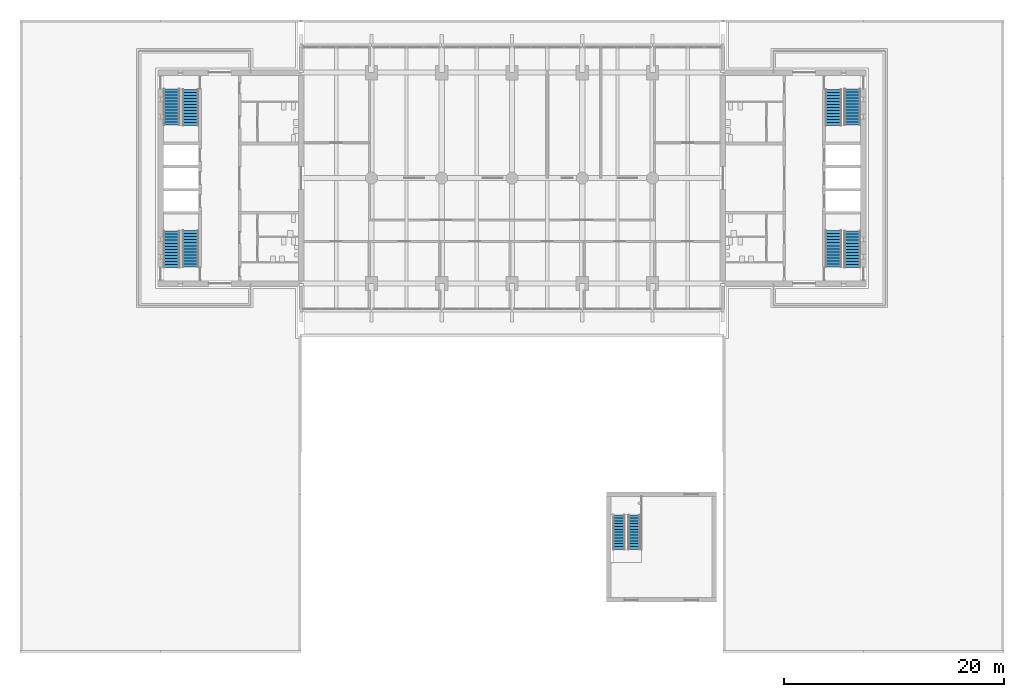
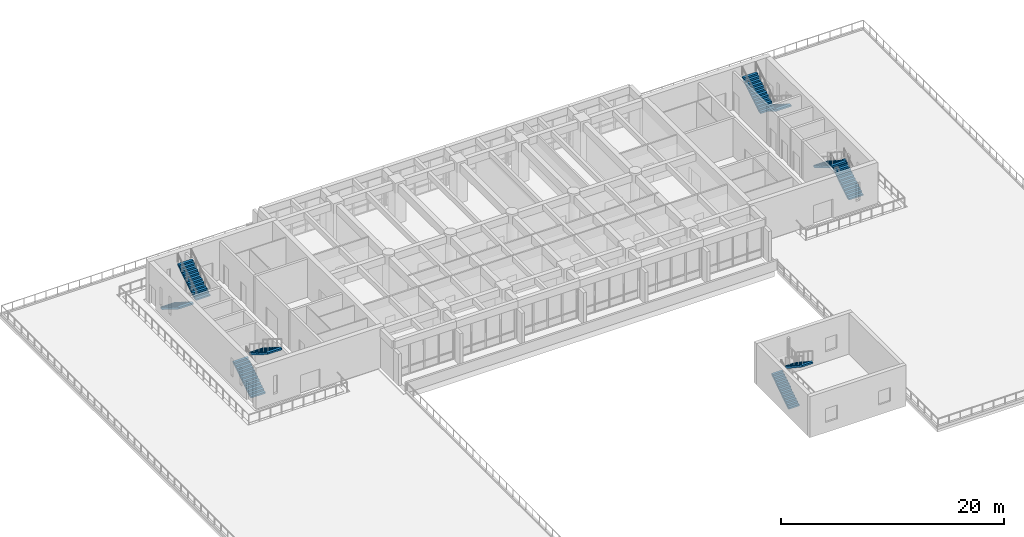
# One storey, part 16 of 21: 10 stair flights, 5 elements without a shape of their own.
"""IFC4 building model written with IfcOpenShell, lengths in metres."""

from ifc_helpers import new_model, si_unit, direction, frame, origin, place, context, subcontext, project, spatial, polyline, outline, extrude, material, type_object, element, aggregate, save


model = new_model("IFC4")

# Units and contexts
model_context = context("Model", 3, precision=1e-05, world=origin(), true_north=direction((0.0, 1.0)))
body_context = subcontext(model_context, "Body", "Model", "MODEL_VIEW")
ifc_project = project(units=[si_unit("LENGTHUNIT", "METRE"), si_unit("AREAUNIT", "SQUARE_METRE"), si_unit("VOLUMEUNIT", "CUBIC_METRE"), si_unit("PLANEANGLEUNIT", "RADIAN"), si_unit("MASSUNIT", "GRAM", prefix="KILO")], contexts=[model_context])

# Site, building, storey
site_placement = place(None, origin())
site = spatial("IfcSite", under=ifc_project, at=site_placement, CompositionType="ELEMENT")
building_placement = place(site_placement, origin())
building = spatial("IfcBuilding", under=site, at=building_placement, Name="Fogon Plaza Fire Station and Headquarters Tower", CompositionType="ELEMENT")
storey_placement = place(building_placement, frame((0.0, 0.0, 8.39990234375)))
storey = spatial("IfcBuildingStorey", under=building, at=storey_placement, Name="L02", CompositionType="ELEMENT", Elevation=8.39990234375)

# Stair, stair flights
ifc_material_1 = material(Name="Concrete C40", Category="concrete")
stair_type_1 = type_object("IfcStairType", Name="Drill Stair 1100", PredefinedType="HALF_TURN_STAIR", material=ifc_material_1)
stair_1_placement = place(storey_placement, origin())
stair_1 = element("IfcStair", 1, at=stair_1_placement, inside=storey, type_object=stair_type_1, Name="DT1", PredefinedType="HALF_TURN_STAIR")
ifc_material_2 = material(Name="Concrete C40", Category="concrete")
stair_flight_type_1 = type_object("IfcStairFlightType", Name="Drill Stair Flight 1100", PredefinedType="STRAIGHT", material=ifc_material_2)
stair_flight_1_placement = place(storey_placement, frame((54.550048828125, 9.39990234375, 0.0), z_axis=(0.0, 0.0, 1.0), x_axis=(0.0, 1.0, 0.0)))
stair_flight_1 = element("IfcStairFlight", 2, at=stair_flight_1_placement, type_object=stair_flight_type_1, Name="DT1 flight 1", NumberOfRisers=13, NumberOfTreads=12, PredefinedType="STRAIGHT", RiserHeight=0.173076923, TreadLength=0.26, context=body_context, shape_type="SweptSolid", body=[
    extrude(outline(polyline([(0.0, 0.0), (0.0, 0.173095703125), (0.260009765625, 0.173095703125), (0.260009765625, 0.34619140625), (0.52001953125, 0.34619140625), (0.52001953125, 0.519287109375), (0.780029296875, 0.519287109375), (0.780029296875, 0.6923828125), (1.0400390625, 0.6923828125), (1.0400390625, 0.865478515625), (1.300048828125, 0.865478515625), (1.300048828125, 1.03857421875), (1.56005859375, 1.03857421875), (1.56005859375, 1.21142578125), (1.820068359375, 1.21142578125), (1.820068359375, 1.384521484375), (2.080078125, 1.384521484375), (2.080078125, 1.5576171875), (2.340087890625, 1.5576171875), (2.340087890625, 1.730712890625), (2.60009765625, 1.730712890625), (2.60009765625, 1.90380859375), (2.860107421875, 1.90380859375), (2.860107421875, 2.076904296875), (3.1201171875, 2.076904296875), (3.1201171875, 2.25), (3.1201171875, 1.896728515625), (0.2705078125, 0.0), (0.0, 0.0)])), frame((0.0, 0.550048828125, 0.0), z_axis=(0.0, -1.0, 0.0), x_axis=(1.0, 0.0, 0.0)), (0.0, 0.0, 1.0), 1.10009765625),
])
stair_flight_2_placement = place(storey_placement, frame((55.929931640625, 12.52001953125, 2.25), z_axis=(0.0, 0.0, 1.0), x_axis=(0.0, -1.0, 0.0)))
stair_flight_2 = element("IfcStairFlight", 3, at=stair_flight_2_placement, type_object=stair_flight_type_1, Name="DT1 flight 2", NumberOfRisers=13, NumberOfTreads=12, PredefinedType="STRAIGHT", RiserHeight=0.173076923, TreadLength=0.26, context=body_context, shape_type="SweptSolid", body=[
    extrude(outline(polyline([(0.0, 0.0), (0.0, 0.173095703125), (0.260009765625, 0.173095703125), (0.260009765625, 0.34619140625), (0.52001953125, 0.34619140625), (0.52001953125, 0.519287109375), (0.780029296875, 0.519287109375), (0.780029296875, 0.6923828125), (1.0400390625, 0.6923828125), (1.0400390625, 0.865478515625), (1.300048828125, 0.865478515625), (1.300048828125, 1.03857421875), (1.56005859375, 1.03857421875), (1.56005859375, 1.21142578125), (1.820068359375, 1.21142578125), (1.820068359375, 1.384521484375), (2.080078125, 1.384521484375), (2.080078125, 1.5576171875), (2.340087890625, 1.5576171875), (2.340087890625, 1.730712890625), (2.60009765625, 1.730712890625), (2.60009765625, 1.90380859375), (2.860107421875, 1.90380859375), (2.860107421875, 2.076904296875), (3.1201171875, 2.076904296875), (3.1201171875, 2.25), (3.1201171875, 1.896728515625), (0.2705078125, 0.0), (0.0, 0.0)])), frame((0.0, 0.550048828125, 0.0), z_axis=(0.0, -1.0, 0.0), x_axis=(1.0, 0.0, 0.0)), (0.0, 0.0, 1.0), 1.10009765625),
])
aggregate(stair_1, [stair_flight_1, stair_flight_2])

ifc_material_3 = material(Name="Concrete C40", Category="concrete")
stair_type_2 = type_object("IfcStairType", Name="Exit Stair Two Flights", PredefinedType="TWO_STRAIGHT_RUN_STAIR", material=ifc_material_3)
stair_2_placement = place(storey_placement, origin())
stair_2 = element("IfcStair", 4, at=stair_2_placement, inside=storey, type_object=stair_type_2, Name="Stair ST1", PredefinedType="TWO_STRAIGHT_RUN_STAIR")
ifc_material_4 = material(Name="Concrete C40", Category="concrete")
stair_flight_type_2 = type_object("IfcStairFlightType", Name="Stair Flight 13 Risers", PredefinedType="STRAIGHT", material=ifc_material_4)
stair_flight_3_placement = place(storey_placement, frame((13.800048828125, 35.060791015625, 0.0), z_axis=(0.0, 0.0, 1.0), x_axis=(0.0, 1.0, 0.0)))
stair_flight_3 = element("IfcStairFlight", 5, at=stair_flight_3_placement, type_object=stair_flight_type_2, Name="ST1 flight F07", NumberOfRisers=13, NumberOfTreads=12, PredefinedType="STRAIGHT", RiserHeight=0.173076923, TreadLength=0.27625, context=body_context, shape_type="SweptSolid", body=[
    extrude(outline(polyline([(0.0, 0.0), (0.0, 0.173095703125), (0.2763671875, 0.173095703125), (0.2763671875, 0.34619140625), (0.552490234375, 0.34619140625), (0.552490234375, 0.519287109375), (0.828857421875, 0.519287109375), (0.828857421875, 0.6923828125), (1.10498046875, 0.6923828125), (1.10498046875, 0.865478515625), (1.38134765625, 0.865478515625), (1.38134765625, 1.03857421875), (1.657470703125, 1.03857421875), (1.657470703125, 1.21142578125), (1.933837890625, 1.21142578125), (1.933837890625, 1.384521484375), (2.2099609375, 1.384521484375), (2.2099609375, 1.5576171875), (2.486328125, 1.5576171875), (2.486328125, 1.730712890625), (2.762451171875, 1.730712890625), (2.762451171875, 1.90380859375), (3.038818359375, 1.90380859375), (3.038818359375, 2.076904296875), (3.31494140625, 2.076904296875), (3.31494140625, 2.25), (3.31494140625, 1.900146484375), (0.2822265625, 0.0), (0.0, 0.0)])), frame((0.0, 0.75, 0.0), z_axis=(0.0, -1.0, 0.0), x_axis=(1.0, 0.0, 0.0)), (0.0, 0.0, 1.0), 1.5),
])
stair_flight_4_placement = place(storey_placement, frame((15.52490234375, 38.42431640625, 2.25), z_axis=(0.0, 0.0, 1.0), x_axis=(0.0, -1.0, 0.0)))
stair_flight_4 = element("IfcStairFlight", 6, at=stair_flight_4_placement, type_object=stair_flight_type_2, Name="ST1 flight F08", NumberOfRisers=13, NumberOfTreads=12, PredefinedType="STRAIGHT", RiserHeight=0.173076923, TreadLength=0.27625, context=body_context, shape_type="SweptSolid", body=[
    extrude(outline(polyline([(0.0, 0.0), (0.0, 0.173095703125), (0.2763671875, 0.173095703125), (0.2763671875, 0.34619140625), (0.552490234375, 0.34619140625), (0.552490234375, 0.519287109375), (0.828857421875, 0.519287109375), (0.828857421875, 0.6923828125), (1.10498046875, 0.6923828125), (1.10498046875, 0.865478515625), (1.38134765625, 0.865478515625), (1.38134765625, 1.03857421875), (1.657470703125, 1.03857421875), (1.657470703125, 1.21142578125), (1.933837890625, 1.21142578125), (1.933837890625, 1.384521484375), (2.2099609375, 1.384521484375), (2.2099609375, 1.5576171875), (2.486328125, 1.5576171875), (2.486328125, 1.730712890625), (2.762451171875, 1.730712890625), (2.762451171875, 1.90380859375), (3.038818359375, 1.90380859375), (3.038818359375, 2.076904296875), (3.31494140625, 2.076904296875), (3.31494140625, 2.25), (3.31494140625, 1.900146484375), (0.2822265625, 0.0), (0.0, 0.0)])), frame((0.0, 0.75, 0.0), z_axis=(0.0, -1.0, 0.0), x_axis=(1.0, 0.0, 0.0)), (0.0, 0.0, 1.0), 1.5),
])
aggregate(stair_2, [stair_flight_3, stair_flight_4])

stair_3_placement = place(storey_placement, origin())
stair_3 = element("IfcStair", 7, at=stair_3_placement, inside=storey, type_object=stair_type_2, Name="Stair ST2", PredefinedType="TWO_STRAIGHT_RUN_STAIR")
stair_flight_5_placement = place(storey_placement, frame((13.800048828125, 51.33935546875, 0.0), z_axis=(0.0, 0.0, 1.0), x_axis=(0.0, -1.0, 0.0)))
stair_flight_5 = element("IfcStairFlight", 8, at=stair_flight_5_placement, type_object=stair_flight_type_2, Name="ST2 flight F07", NumberOfRisers=13, NumberOfTreads=12, PredefinedType="STRAIGHT", RiserHeight=0.173076923, TreadLength=0.27625, context=body_context, shape_type="SweptSolid", body=[
    extrude(outline(polyline([(0.0, 0.0), (0.0, 0.173095703125), (0.2763671875, 0.173095703125), (0.2763671875, 0.34619140625), (0.552490234375, 0.34619140625), (0.552490234375, 0.519287109375), (0.828857421875, 0.519287109375), (0.828857421875, 0.6923828125), (1.10498046875, 0.6923828125), (1.10498046875, 0.865478515625), (1.38134765625, 0.865478515625), (1.38134765625, 1.03857421875), (1.657470703125, 1.03857421875), (1.657470703125, 1.21142578125), (1.933837890625, 1.21142578125), (1.933837890625, 1.384521484375), (2.2099609375, 1.384521484375), (2.2099609375, 1.5576171875), (2.486328125, 1.5576171875), (2.486328125, 1.730712890625), (2.762451171875, 1.730712890625), (2.762451171875, 1.90380859375), (3.038818359375, 1.90380859375), (3.038818359375, 2.076904296875), (3.31494140625, 2.076904296875), (3.31494140625, 2.25), (3.31494140625, 1.900146484375), (0.2822265625, 0.0), (0.0, 0.0)])), frame((0.0, 0.75, 0.0), z_axis=(0.0, -1.0, 0.0), x_axis=(1.0, 0.0, 0.0)), (0.0, 0.0, 1.0), 1.5),
])
stair_flight_6_placement = place(storey_placement, frame((15.52490234375, 47.975830078125, 2.25), z_axis=(0.0, 0.0, 1.0), x_axis=(0.0, 1.0, 0.0)))
stair_flight_6 = element("IfcStairFlight", 9, at=stair_flight_6_placement, type_object=stair_flight_type_2, Name="ST2 flight F08", NumberOfRisers=13, NumberOfTreads=12, PredefinedType="STRAIGHT", RiserHeight=0.173076923, TreadLength=0.27625, context=body_context, shape_type="SweptSolid", body=[
    extrude(outline(polyline([(0.0, 0.0), (0.0, 0.173095703125), (0.2763671875, 0.173095703125), (0.2763671875, 0.34619140625), (0.552490234375, 0.34619140625), (0.552490234375, 0.519287109375), (0.828857421875, 0.519287109375), (0.828857421875, 0.6923828125), (1.10498046875, 0.6923828125), (1.10498046875, 0.865478515625), (1.38134765625, 0.865478515625), (1.38134765625, 1.03857421875), (1.657470703125, 1.03857421875), (1.657470703125, 1.21142578125), (1.933837890625, 1.21142578125), (1.933837890625, 1.384521484375), (2.2099609375, 1.384521484375), (2.2099609375, 1.5576171875), (2.486328125, 1.5576171875), (2.486328125, 1.730712890625), (2.762451171875, 1.730712890625), (2.762451171875, 1.90380859375), (3.038818359375, 1.90380859375), (3.038818359375, 2.076904296875), (3.31494140625, 2.076904296875), (3.31494140625, 2.25), (3.31494140625, 1.900146484375), (0.2822265625, 0.0), (0.0, 0.0)])), frame((0.0, 0.75, 0.0), z_axis=(0.0, -1.0, 0.0), x_axis=(1.0, 0.0, 0.0)), (0.0, 0.0, 1.0), 1.5),
])
aggregate(stair_3, [stair_flight_5, stair_flight_6])

stair_4_placement = place(storey_placement, origin())
stair_4 = element("IfcStair", 10, at=stair_4_placement, inside=storey, type_object=stair_type_2, Name="Stair ST3", PredefinedType="TWO_STRAIGHT_RUN_STAIR")
stair_flight_7_placement = place(storey_placement, frame((75.800048828125, 35.060791015625, 0.0), z_axis=(0.0, 0.0, 1.0), x_axis=(0.0, 1.0, 0.0)))
stair_flight_7 = element("IfcStairFlight", 11, at=stair_flight_7_placement, type_object=stair_flight_type_2, Name="ST3 flight F07", NumberOfRisers=13, NumberOfTreads=12, PredefinedType="STRAIGHT", RiserHeight=0.173076923, TreadLength=0.27625, context=body_context, shape_type="SweptSolid", body=[
    extrude(outline(polyline([(0.0, 0.0), (0.0, 0.173095703125), (0.2763671875, 0.173095703125), (0.2763671875, 0.34619140625), (0.552490234375, 0.34619140625), (0.552490234375, 0.519287109375), (0.828857421875, 0.519287109375), (0.828857421875, 0.6923828125), (1.10498046875, 0.6923828125), (1.10498046875, 0.865478515625), (1.38134765625, 0.865478515625), (1.38134765625, 1.03857421875), (1.657470703125, 1.03857421875), (1.657470703125, 1.21142578125), (1.933837890625, 1.21142578125), (1.933837890625, 1.384521484375), (2.2099609375, 1.384521484375), (2.2099609375, 1.5576171875), (2.486328125, 1.5576171875), (2.486328125, 1.730712890625), (2.762451171875, 1.730712890625), (2.762451171875, 1.90380859375), (3.038818359375, 1.90380859375), (3.038818359375, 2.076904296875), (3.31494140625, 2.076904296875), (3.31494140625, 2.25), (3.31494140625, 1.900146484375), (0.2822265625, 0.0), (0.0, 0.0)])), frame((0.0, 0.75, 0.0), z_axis=(0.0, -1.0, 0.0), x_axis=(1.0, 0.0, 0.0)), (0.0, 0.0, 1.0), 1.5),
])
stair_flight_8_placement = place(storey_placement, frame((74.074951171875, 38.42431640625, 2.25), z_axis=(0.0, 0.0, 1.0), x_axis=(0.0, -1.0, 0.0)))
stair_flight_8 = element("IfcStairFlight", 12, at=stair_flight_8_placement, type_object=stair_flight_type_2, Name="ST3 flight F08", NumberOfRisers=13, NumberOfTreads=12, PredefinedType="STRAIGHT", RiserHeight=0.173076923, TreadLength=0.27625, context=body_context, shape_type="SweptSolid", body=[
    extrude(outline(polyline([(0.0, 0.0), (0.0, 0.173095703125), (0.2763671875, 0.173095703125), (0.2763671875, 0.34619140625), (0.552490234375, 0.34619140625), (0.552490234375, 0.519287109375), (0.828857421875, 0.519287109375), (0.828857421875, 0.6923828125), (1.10498046875, 0.6923828125), (1.10498046875, 0.865478515625), (1.38134765625, 0.865478515625), (1.38134765625, 1.03857421875), (1.657470703125, 1.03857421875), (1.657470703125, 1.21142578125), (1.933837890625, 1.21142578125), (1.933837890625, 1.384521484375), (2.2099609375, 1.384521484375), (2.2099609375, 1.5576171875), (2.486328125, 1.5576171875), (2.486328125, 1.730712890625), (2.762451171875, 1.730712890625), (2.762451171875, 1.90380859375), (3.038818359375, 1.90380859375), (3.038818359375, 2.076904296875), (3.31494140625, 2.076904296875), (3.31494140625, 2.25), (3.31494140625, 1.900146484375), (0.2822265625, 0.0), (0.0, 0.0)])), frame((0.0, 0.75, 0.0), z_axis=(0.0, -1.0, 0.0), x_axis=(1.0, 0.0, 0.0)), (0.0, 0.0, 1.0), 1.5),
])
aggregate(stair_4, [stair_flight_7, stair_flight_8])

stair_5_placement = place(storey_placement, origin())
stair_5 = element("IfcStair", 13, at=stair_5_placement, inside=storey, type_object=stair_type_2, Name="Stair ST4", PredefinedType="TWO_STRAIGHT_RUN_STAIR")
stair_flight_9_placement = place(storey_placement, frame((75.800048828125, 51.33935546875, 0.0), z_axis=(0.0, 0.0, 1.0), x_axis=(0.0, -1.0, 0.0)))
stair_flight_9 = element("IfcStairFlight", 14, at=stair_flight_9_placement, type_object=stair_flight_type_2, Name="ST4 flight F07", NumberOfRisers=13, NumberOfTreads=12, PredefinedType="STRAIGHT", RiserHeight=0.173076923, TreadLength=0.27625, context=body_context, shape_type="SweptSolid", body=[
    extrude(outline(polyline([(0.0, 0.0), (0.0, 0.173095703125), (0.2763671875, 0.173095703125), (0.2763671875, 0.34619140625), (0.552490234375, 0.34619140625), (0.552490234375, 0.519287109375), (0.828857421875, 0.519287109375), (0.828857421875, 0.6923828125), (1.10498046875, 0.6923828125), (1.10498046875, 0.865478515625), (1.38134765625, 0.865478515625), (1.38134765625, 1.03857421875), (1.657470703125, 1.03857421875), (1.657470703125, 1.21142578125), (1.933837890625, 1.21142578125), (1.933837890625, 1.384521484375), (2.2099609375, 1.384521484375), (2.2099609375, 1.5576171875), (2.486328125, 1.5576171875), (2.486328125, 1.730712890625), (2.762451171875, 1.730712890625), (2.762451171875, 1.90380859375), (3.038818359375, 1.90380859375), (3.038818359375, 2.076904296875), (3.31494140625, 2.076904296875), (3.31494140625, 2.25), (3.31494140625, 1.900146484375), (0.2822265625, 0.0), (0.0, 0.0)])), frame((0.0, 0.75, 0.0), z_axis=(0.0, -1.0, 0.0), x_axis=(1.0, 0.0, 0.0)), (0.0, 0.0, 1.0), 1.5),
])
stair_flight_10_placement = place(storey_placement, frame((74.074951171875, 47.975830078125, 2.25), z_axis=(0.0, 0.0, 1.0), x_axis=(0.0, 1.0, 0.0)))
stair_flight_10 = element("IfcStairFlight", 15, at=stair_flight_10_placement, type_object=stair_flight_type_2, Name="ST4 flight F08", NumberOfRisers=13, NumberOfTreads=12, PredefinedType="STRAIGHT", RiserHeight=0.173076923, TreadLength=0.27625, context=body_context, shape_type="SweptSolid", body=[
    extrude(outline(polyline([(0.0, 0.0), (0.0, 0.173095703125), (0.2763671875, 0.173095703125), (0.2763671875, 0.34619140625), (0.552490234375, 0.34619140625), (0.552490234375, 0.519287109375), (0.828857421875, 0.519287109375), (0.828857421875, 0.6923828125), (1.10498046875, 0.6923828125), (1.10498046875, 0.865478515625), (1.38134765625, 0.865478515625), (1.38134765625, 1.03857421875), (1.657470703125, 1.03857421875), (1.657470703125, 1.21142578125), (1.933837890625, 1.21142578125), (1.933837890625, 1.384521484375), (2.2099609375, 1.384521484375), (2.2099609375, 1.5576171875), (2.486328125, 1.5576171875), (2.486328125, 1.730712890625), (2.762451171875, 1.730712890625), (2.762451171875, 1.90380859375), (3.038818359375, 1.90380859375), (3.038818359375, 2.076904296875), (3.31494140625, 2.076904296875), (3.31494140625, 2.25), (3.31494140625, 1.900146484375), (0.2822265625, 0.0), (0.0, 0.0)])), frame((0.0, 0.75, 0.0), z_axis=(0.0, -1.0, 0.0), x_axis=(1.0, 0.0, 0.0)), (0.0, 0.0, 1.0), 1.5),
])
aggregate(stair_5, [stair_flight_9, stair_flight_10])

save(model, "model.ifc")
